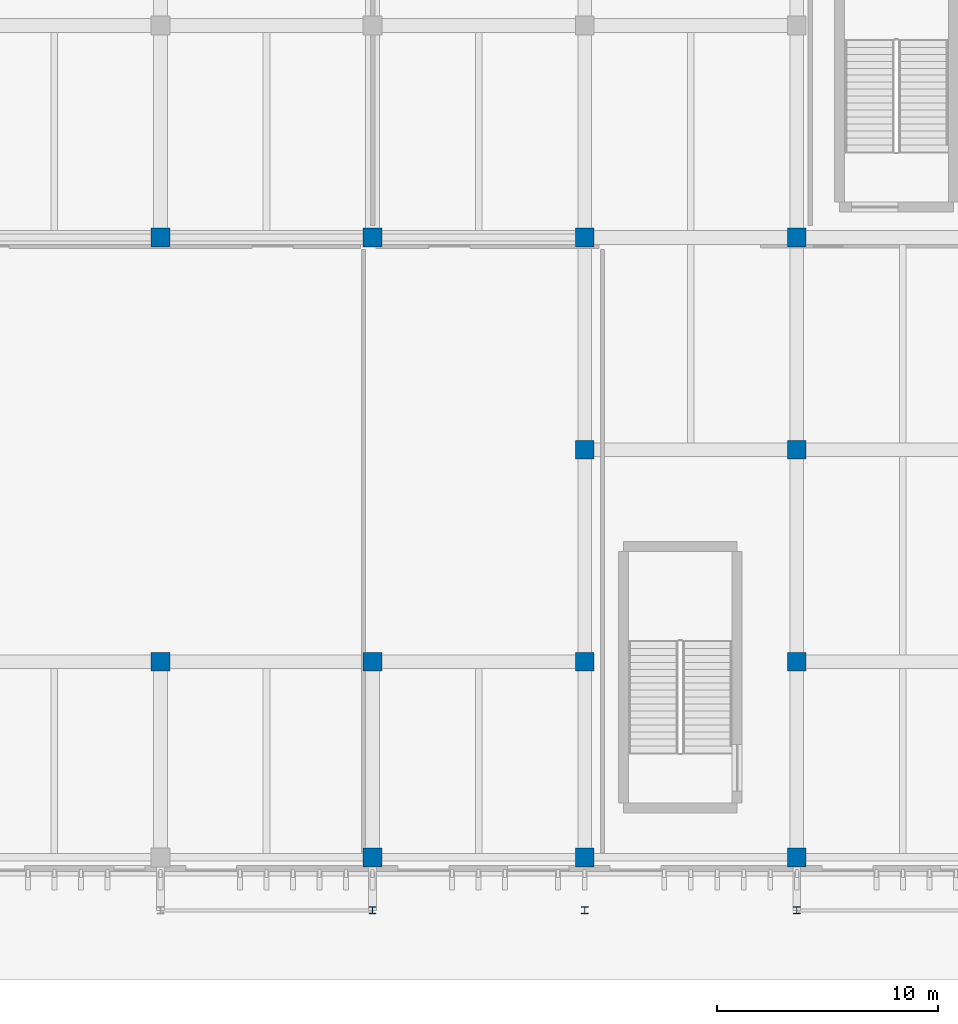
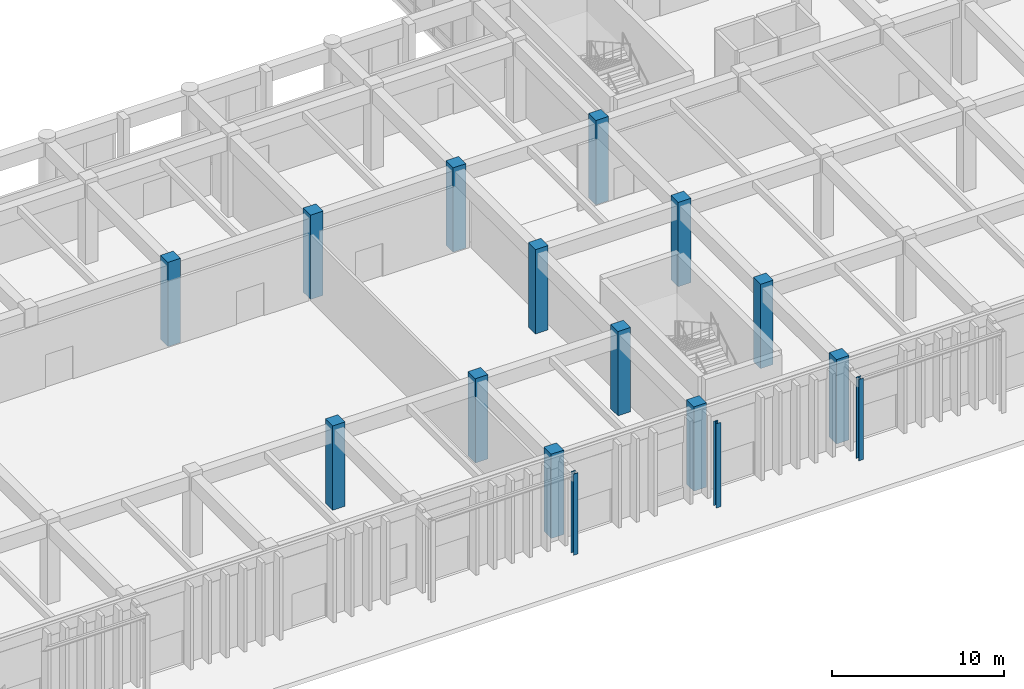
# One storey, part 3 of 87: 16 columns.
"""IFC4 building model written with IfcOpenShell, lengths in metres."""

import ifcopenshell
import ifcopenshell.guid

model = None  # the IFC model being written
_history = None  # IfcOwnerHistory: only IFC2X3 demands one
_inside = {}  # id of a spatial element -> (the spatial element, [elements in it])
_under = {}  # id of a project, library or spatial element -> (it, [spatial elements below it])
_declared = {}  # id of a project -> (the project, [libraries it declares])
_typed = {}  # id of a type object -> (the type object, [elements of that type])
_made_of = {}  # id of a material, layer set ... -> (it, [elements and type objects made of it])


def new_model(schema):
    """Start an empty IFC model of exactly this schema.

    Asked for "IFC4X3", IfcOpenShell would pick the latest addendum, in which some entities
    have other attributes; the version numbers below select the first issue.
    IFC2X3 requires an IfcOwnerHistory on every rooted entity: one is made here for all.
    """
    global model, _history
    if schema == "IFC4X3":
        model = ifcopenshell.file(schema_version=(4, 3, 0, 0))
    else:
        model = ifcopenshell.file(schema=schema)
    _inside.clear()
    _under.clear()
    _declared.clear()
    _typed.clear()
    _made_of.clear()
    _history = None
    if model.schema == "IFC2X3":
        org = make("IfcOrganization", Name="unknown")
        user = make(
            "IfcPersonAndOrganization",
            ThePerson=make("IfcPerson", FamilyName="unknown"),
            TheOrganization=org,
        )
        app = make(
            "IfcApplication",
            ApplicationDeveloper=org,
            Version="unknown",
            ApplicationFullName="unknown",
            ApplicationIdentifier="unknown",
        )
        _history = make(
            "IfcOwnerHistory",
            OwningUser=user,
            OwningApplication=app,
            ChangeAction="ADDED",
            CreationDate=0,
        )
    return model


def make(cls, **values):
    """One entity of the class cls with the attributes given. An attribute that is None is left unset."""
    return model.create_entity(
        cls, **{name: value for name, value in values.items() if value is not None}
    )


def rooted(cls, **values):
    """An entity with a GlobalId (a new one), such as an element, a storey or a relation."""
    return make(cls, GlobalId=ifcopenshell.guid.new(), OwnerHistory=_history, **values)


def si_unit(unit_type, name, prefix=None):
    """IfcSIUnit, for example si_unit("LENGTHUNIT", "METRE", prefix="MILLI")."""
    return make("IfcSIUnit", UnitType=unit_type, Prefix=prefix, Name=name)


def assignment(units):
    """IfcUnitAssignment: the units of a project."""
    return None if units is None else make("IfcUnitAssignment", Units=units)


def point(xyz):
    """IfcCartesianPoint."""
    return None if xyz is None else make("IfcCartesianPoint", Coordinates=xyz)


def direction(xyz):
    """IfcDirection."""
    return None if xyz is None else make("IfcDirection", DirectionRatios=xyz)


def frame(location, z_axis=None, x_axis=None):
    """IfcAxis2Placement3D, a coordinate frame: its origin and axes. An axis left out is left unset."""
    return make(
        "IfcAxis2Placement3D",
        Location=point(location),
        Axis=direction(z_axis),
        RefDirection=direction(x_axis),
    )


def frame_2d(location, x_axis=None):
    """IfcAxis2Placement2D, a coordinate frame in the plane: its origin and x axis."""
    return make(
        "IfcAxis2Placement2D", Location=point(location), RefDirection=direction(x_axis)
    )


def origin():
    """The frame at (0, 0, 0) with its axes left unset."""
    return frame((0.0, 0.0, 0.0))


def origin_2d():
    """The frame at (0, 0) in the plane with its x axis left unset."""
    return frame_2d((0.0, 0.0))


def place(relative_to, where):
    """IfcLocalPlacement: puts the frame where relative to a parent placement (None: the world)."""
    return make(
        "IfcLocalPlacement", PlacementRelTo=relative_to, RelativePlacement=where
    )


def context(
    kind, dimensions, precision=None, world=None, true_north=None, identifier=None
):
    """IfcGeometricRepresentationContext, for example the 3D "Model" context."""
    return make(
        "IfcGeometricRepresentationContext",
        ContextIdentifier=identifier,
        ContextType=kind,
        CoordinateSpaceDimension=dimensions,
        Precision=precision,
        WorldCoordinateSystem=world,
        TrueNorth=true_north,
    )


def subcontext(parent, identifier, kind, view, scale=None):
    """IfcGeometricRepresentationSubContext, for example "Body" below "Model"."""
    return make(
        "IfcGeometricRepresentationSubContext",
        ContextIdentifier=identifier,
        ContextType=kind,
        ParentContext=parent,
        TargetScale=scale,
        TargetView=view,
    )


def project(units=None, contexts=None):
    """IfcProject with its units and contexts."""
    return rooted(
        "IfcProject",
        Name="project",
        RepresentationContexts=contexts,
        UnitsInContext=assignment(units),
    )


def spatial(cls, under=None, at=None, **own):
    """A site, building, storey or space (cls), placed at a placement, below another one or the project."""
    s = rooted(cls, ObjectPlacement=at, **own)
    if under is not None:
        _under.setdefault(under.id(), (under, []))[1].append(s)
    return s


def profile(cls, at=None, kind="AREA", **sizes):
    """A parametric profile (cls). Its sizes go by their IFC names, for example OverallWidth=200.0."""
    return make(cls, ProfileType=kind, Position=at, **sizes)


def rectangle(**sizes):
    """IfcRectangleProfileDef."""
    return profile("IfcRectangleProfileDef", **sizes)


def i_section(**sizes):
    """IfcIShapeProfileDef."""
    return profile("IfcIShapeProfileDef", **sizes)


def extrude(swept, where, along, depth):
    """IfcExtrudedAreaSolid: the profile swept, set in the frame where, extruded along a direction by depth."""
    return make(
        "IfcExtrudedAreaSolid",
        SweptArea=swept,
        Position=where,
        ExtrudedDirection=direction(along),
        Depth=depth,
    )


def shape(context_of_items, identifier, shape_type, items):
    """IfcShapeRepresentation: the items that make up one representation, for example the "Body"."""
    return make(
        "IfcShapeRepresentation",
        ContextOfItems=context_of_items,
        RepresentationIdentifier=identifier,
        RepresentationType=shape_type,
        Items=items,
    )


def material(Name=None, Category=None):
    """IfcMaterial."""
    return make("IfcMaterial", Name=Name, Category=Category)


def material_profile(
    of_material, cross_section, Name=None, Category=None, Priority=None
):
    """IfcMaterialProfile: a cross section and its material."""
    return make(
        "IfcMaterialProfile",
        Name=Name,
        Material=of_material,
        Profile=cross_section,
        Priority=Priority,
        Category=Category,
    )


def profile_set(profiles, Name=None, composite=None):
    """IfcMaterialProfileSet."""
    return make(
        "IfcMaterialProfileSet",
        Name=Name,
        MaterialProfiles=profiles,
        CompositeProfile=composite,
    )


def made_of(thing, what):
    """Note that an element or type object is made of a material, layer set ...; save() writes the relation."""
    if what is not None:
        _made_of.setdefault(what.id(), (what, []))[1].append(thing)
    return thing


def type_object(cls, material=None, **own):
    """A type object (cls), such as IfcWallType, which elements share."""
    return made_of(rooted(cls, **own), material)


def element(
    cls,
    number,
    at=None,
    inside=None,
    cuts=None,
    type_object=None,
    material=None,
    context=None,
    identifier="Body",
    shape_type=None,
    held_by="IfcProductDefinitionShape",
    body=None,
    shapes=None,
    **own,
):
    """One element of the class cls, such as IfcWall. Its Tag is "e" and its number.

    at: its placement. inside: the storey or other place that contains it. cuts: it is an
    opening in that element (IfcRelVoidsElement). A single representation is given by context,
    identifier, shape_type and body (its items); several are given by shapes. held_by: the class
    of the entity that holds the representations. save() writes the other relations.
    """
    e = rooted(cls, Tag="e%d" % number, ObjectPlacement=at, **own)
    if body is not None:
        shapes = [shape(context, identifier, shape_type, body)]
    if shapes is not None:
        e.Representation = make(held_by, Representations=shapes)
    if inside is not None:
        _inside.setdefault(inside.id(), (inside, []))[1].append(e)
    if cuts is not None:
        rooted(
            "IfcRelVoidsElement", RelatingBuildingElement=cuts, RelatedOpeningElement=e
        )
    if type_object is not None:
        _typed.setdefault(type_object.id(), (type_object, []))[1].append(e)
    return made_of(e, material)


def aggregate(whole, parts):
    """IfcRelAggregates: a whole, such as a stair, and the parts it consists of."""
    return rooted("IfcRelAggregates", RelatingObject=whole, RelatedObjects=parts)


def save(model, path):
    """Write the relations noted so far, then the file.

    IfcRelAggregates (storeys below a building ...), IfcRelContainedInSpatialStructure (elements
    in a storey), IfcRelDefinesByType, IfcRelAssociatesMaterial and IfcRelDeclares: one each for
    every whole, place, type object, material and project.
    """
    for whole, parts in _under.values():
        aggregate(whole, parts)
    for where, things in _inside.values():
        rooted(
            "IfcRelContainedInSpatialStructure",
            RelatedElements=things,
            RelatingStructure=where,
        )
    for kind, things in _typed.values():
        rooted("IfcRelDefinesByType", RelatedObjects=things, RelatingType=kind)
    for what, things in _made_of.values():
        rooted("IfcRelAssociatesMaterial", RelatedObjects=things, RelatingMaterial=what)
    for by, libraries in _declared.values():
        rooted("IfcRelDeclares", RelatingContext=by, RelatedDefinitions=libraries)
    model.write(path)


model = new_model("IFC4")

# Units and contexts
model_context = context("Model", 3, precision=1e-05, world=origin(), true_north=direction((0.0, 1.0)))
body_context = subcontext(model_context, "Body", "Model", "MODEL_VIEW")
ifc_project = project(units=[si_unit("LENGTHUNIT", "METRE"), si_unit("AREAUNIT", "SQUARE_METRE"), si_unit("VOLUMEUNIT", "CUBIC_METRE"), si_unit("PLANEANGLEUNIT", "RADIAN"), si_unit("MASSUNIT", "GRAM", prefix="KILO")], contexts=[model_context])

# Site, building, storey
site_placement = place(None, origin())
site = spatial("IfcSite", under=ifc_project, at=site_placement, CompositionType="ELEMENT")
building_placement = place(site_placement, origin())
building = spatial("IfcBuilding", under=site, at=building_placement, Name="Nakhvara Creek Congress Hotel", CompositionType="ELEMENT")
storey_placement = place(building_placement, origin())
storey = spatial("IfcBuildingStorey", under=building, at=storey_placement, Name="L00", CompositionType="ELEMENT", Elevation=0.0)

# Columns
ifc_material_1 = material(Name="Concrete C50/60", Category="concrete")
ifc_material_profile_1 = material_profile(ifc_material_1, rectangle(XDim=0.85009765625, YDim=0.85009765625, at=origin_2d()), Name="RC-COL 850x850", Category="LoadBearing")
ifc_profile_set_1 = profile_set([ifc_material_profile_1], Name="Concrete C50/60")
column_type_1 = type_object("IfcColumnType", Name="COL-RC-850", PredefinedType="COLUMN", material=ifc_profile_set_1)
for number, where, z_axis, x_axis, name in (
    (1, (96.0, 9.60009765625, 0.0), (0.0, 0.0, 1.0), (1.0, 0.0, 0.0), "Column C18-L00-0682"),
    (2, (96.0, 28.800048828125, 0.0), (0.0, 0.0, 1.0), (1.0, 0.0, 0.0), "Column C18-L00-0683"),
    (3, (105.60009765625, 0.75, 0.0), (0.0, 0.0, 1.0), (1.0, 0.0, 0.0), "Column C18-L00-0689"),
    (4, (105.60009765625, 9.60009765625, 0.0), (0.0, 0.0, 1.0), (1.0, 0.0, 0.0), "Column C18-L00-0690"),
    (5, (105.60009765625, 28.800048828125, 0.0), (0.0, 0.0, 1.0), (1.0, 0.0, 0.0), "Column C18-L00-0691"),
    (6, (115.199951171875, 0.75, 0.0), (0.0, 0.0, 1.0), (1.0, 0.0, 0.0), "Column C18-L00-0697"),
    (7, (115.199951171875, 9.60009765625, 0.0), (0.0, 0.0, 1.0), (1.0, 0.0, 0.0), "Column C18-L00-0698"),
    (8, (115.199951171875, 19.199951171875, 0.0), (0.0, 0.0, 1.0), (1.0, 0.0, 0.0), "Column C18-L00-0699"),
    (9, (115.199951171875, 28.800048828125, 0.0), (0.0, 0.0, 1.0), (1.0, 0.0, 0.0), "Column C18-L00-0700"),
    (10, (124.800048828125, 0.75, 0.0), (0.0, 0.0, 1.0), (1.0, 0.0, 0.0), "Column C18-L00-0706"),
    (11, (124.800048828125, 9.60009765625, 0.0), (0.0, 0.0, 1.0), (1.0, 0.0, 0.0), "Column C18-L00-0707"),
    (12, (124.800048828125, 19.199951171875, 0.0), (0.0, 0.0, 1.0), (1.0, 0.0, 0.0), "Column C18-L00-0708"),
    (13, (124.800048828125, 28.800048828125, 0.0), (0.0, 0.0, 1.0), (1.0, 0.0, 0.0), "Column C18-L00-0709"),
):
    element("IfcColumn", number, at=place(storey_placement, frame(where, z_axis=z_axis, x_axis=x_axis)), inside=storey, type_object=column_type_1, Name=name, PredefinedType="COLUMN", context=body_context, shape_type="SweptSolid", body=[
        extrude(rectangle(XDim=0.85009765625, YDim=0.85009765625, at=origin_2d()), origin(), (0.0, 0.0, 1.0), 6.0),
    ])
ifc_material_2 = material(Name="Steel S355J2", Category="steel")
ifc_material_profile_2 = material_profile(ifc_material_2, i_section(OverallWidth=0.307373046875, OverallDepth=0.314453125, WebThickness=0.011962890625, FlangeThickness=0.018798828125, FilletRadius=0.01513671875, at=origin_2d()), Name="UC 305x305x118", Category="LoadBearing")
ifc_profile_set_2 = profile_set([ifc_material_profile_2], Name="Steel S355J2")
column_type_2 = type_object("IfcColumnType", Name="COL-ST-UC305", PredefinedType="COLUMN", material=ifc_profile_set_2)
for number, where, z_axis, x_axis, name in (
    (14, (105.60009765625, -1.64990234375, 0.0), (0.0, 0.0, 1.0), (1.0, 0.0, 0.0), "Column CS2-L00-0749"),
    (15, (124.800048828125, -1.64990234375, 0.0), (0.0, 0.0, 1.0), (1.0, 0.0, 0.0), "Column CS2-L00-0750"),
):
    element("IfcColumn", number, at=place(storey_placement, frame(where, z_axis=z_axis, x_axis=x_axis)), inside=storey, type_object=column_type_2, Name=name, PredefinedType="COLUMN", context=body_context, shape_type="SweptSolid", body=[
        extrude(i_section(OverallWidth=0.307373046875, OverallDepth=0.314453125, WebThickness=0.011962890625, FlangeThickness=0.018798828125, FilletRadius=0.01513671875, at=origin_2d()), origin(), (0.0, 0.0, 1.0), 5.780029296875),
    ])
column_placement = place(storey_placement, frame((115.199951171875, -1.64990234375, 0.0), z_axis=(0.0, 0.0, 1.0), x_axis=(1.0, 0.0, 0.0)))
element("IfcColumn", 16, at=column_placement, inside=storey, type_object=column_type_2, Name="Column CS2-L00-0754", PredefinedType="COLUMN", context=body_context, shape_type="SweptSolid", body=[
    extrude(i_section(OverallWidth=0.307373046875, OverallDepth=0.314453125, WebThickness=0.011962890625, FlangeThickness=0.018798828125, FilletRadius=0.01513671875, at=origin_2d()), origin(), (0.0, 0.0, 1.0), 6.0),
])

save(model, "model.ifc")
